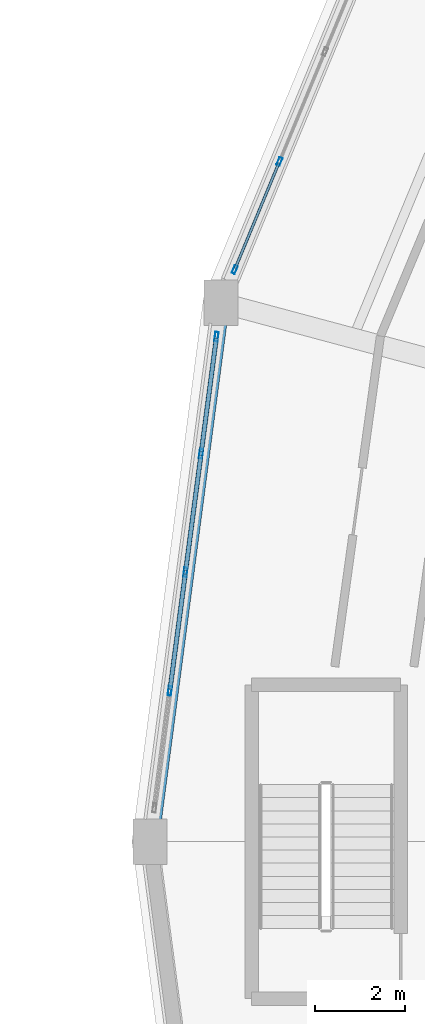
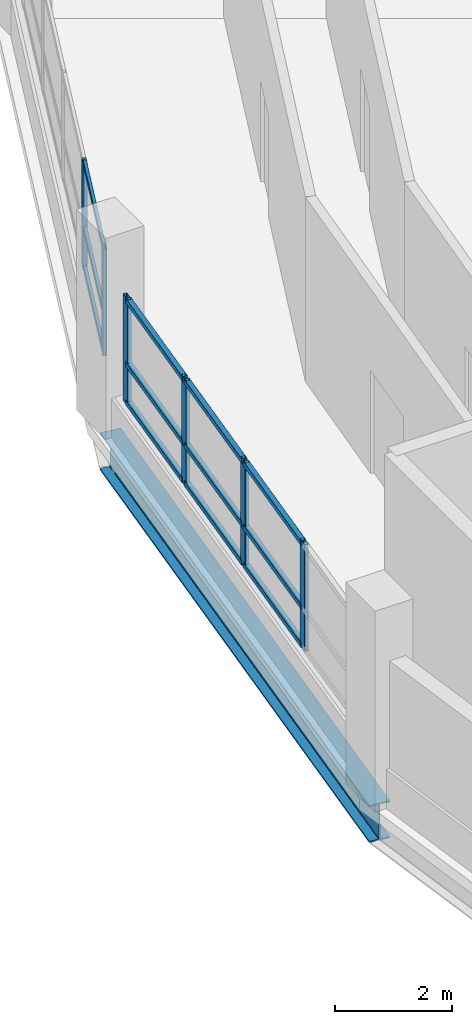
# One storey, part 45 of 128: 18 members, 1 beam, 2 elements without a shape of their own.
"""IFC4 building model written with IfcOpenShell, lengths in metres."""

from ifc_helpers import new_model, si_unit, direction, frame, origin, origin_2d, place, context, subcontext, project, spatial, hollow_rectangle, i_section, extrude, material, layer, layer_set, material_profile, profile_set, type_object, element, aggregate, save


model = new_model("IFC4")

# Units and contexts
model_context = context("Model", 3, precision=1e-05, world=origin(), true_north=direction((0.0, 1.0)))
body_context = subcontext(model_context, "Body", "Model", "MODEL_VIEW")
ifc_project = project(units=[si_unit("LENGTHUNIT", "METRE"), si_unit("AREAUNIT", "SQUARE_METRE"), si_unit("VOLUMEUNIT", "CUBIC_METRE"), si_unit("PLANEANGLEUNIT", "RADIAN"), si_unit("MASSUNIT", "GRAM", prefix="KILO")], contexts=[model_context])

# Site, building, storey
site_placement = place(None, origin())
site = spatial("IfcSite", under=ifc_project, at=site_placement, CompositionType="ELEMENT")
building_placement = place(site_placement, origin())
building = spatial("IfcBuilding", under=site, at=building_placement, Name="Vespera Passage Community Centre", CompositionType="ELEMENT")
storey_placement = place(building_placement, frame((0.0, 0.0, 4.5)))
storey = spatial("IfcBuildingStorey", under=building, at=storey_placement, Name="L01", CompositionType="ELEMENT", Elevation=4.5)

# Beam
ifc_material_1 = material(Name="Steel ASTM A992 Grade 50", Category="steel")
ifc_material_profile_1 = material_profile(ifc_material_1, i_section(OverallWidth=0.382080078125, OverallDepth=0.779296875, WebThickness=0.01806640625, FlangeThickness=0.030029296875, FilletRadius=0.0166015625, at=origin_2d()), Name="W30X191")
ifc_profile_set_1 = profile_set([ifc_material_profile_1], Name="Steel ASTM A992 Grade 50")
beam_type = type_object("IfcBeamType", Name="BM-SP-W30X191E", PredefinedType="SPANDREL", material=ifc_profile_set_1)
beam_placement = place(storey_placement, frame((33.470703125, 77.431640625, -0.629638671875), z_axis=(-0.130523782115, -0.991445178667, 0.0), x_axis=(0.991445178667, -0.130523782115, 0.0)))
element("IfcBeam", 1, at=beam_placement, inside=storey, type_object=beam_type, Name="V4 L01 Outer Spandrel 11", PredefinedType="SPANDREL", context=body_context, shape_type="SweptSolid", body=[
    extrude(i_section(OverallWidth=0.382080078125, OverallDepth=0.779296875, WebThickness=0.01806640625, FlangeThickness=0.030029296875, FilletRadius=0.0166015625, at=origin_2d()), origin(), (0.0, 0.0, 1.0), 12.03466796875),
])

# Curtain wall, members
ifc_material_2 = material(Name="Anodized aluminium 6063-T6", Category="aluminium")
ifc_layer_1 = layer(ifc_material_2, 0.159912109375)
ifc_layer_set_1 = layer_set([ifc_layer_1], Name="Anodized aluminium 6063-T6")
curtain_wall_type_1 = type_object("IfcCurtainWallType", Name="CW-20E", PredefinedType="NOTDEFINED", material=ifc_layer_set_1)
curtain_wall_1_placement = place(storey_placement, origin())
curtain_wall_1 = element("IfcCurtainWall", 2, at=curtain_wall_1_placement, inside=storey, type_object=curtain_wall_type_1, Name="V4 L01 Outer Ribbon Curtain Wall 10", PredefinedType="NOTDEFINED")
ifc_material_3 = material(Name="Anodized aluminium 6063-T6", Category="aluminium")
ifc_material_profile_2 = material_profile(ifc_material_3, hollow_rectangle(XDim=0.074951171875, YDim=0.179931640625, WallThickness=0.0048828125, InnerFilletRadius=0.00244140625, OuterFilletRadius=0.0048828125, at=origin_2d()), Name="ALU180X75X5")
ifc_profile_set_2 = profile_set([ifc_material_profile_2], Name="Anodized aluminium 6063-T6")
member_type_1 = type_object("IfcMemberType", Name="MB-CWM-180E", PredefinedType="MULLION", material=ifc_profile_set_2)
member_1_placement = place(storey_placement, frame((33.774658203125, 78.164794921875, 0.820068359375), z_axis=(0.0, 0.0, 1.0), x_axis=(-0.923881309405, 0.382679142535, 0.0)))
member_1 = element("IfcMember", 3, at=member_1_placement, type_object=member_type_1, Name="CW-20E mullion 1", PredefinedType="MULLION", context=body_context, shape_type="SweptSolid", body=[
    extrude(hollow_rectangle(XDim=0.074951171875, YDim=0.179931640625, WallThickness=0.0048828125, InnerFilletRadius=0.00244140625, OuterFilletRadius=0.0048828125, at=origin_2d()), origin(), (0.0, 0.0, 1.0), 2.2255859375),
])
member_2_placement = place(storey_placement, frame((34.766845703125, 80.560546875, 0.820068359375), z_axis=(0.0, 0.0, 1.0), x_axis=(-0.923881309405, 0.382679142535, 0.0)))
member_2 = element("IfcMember", 4, at=member_2_placement, type_object=member_type_1, Name="CW-20E mullion 2", PredefinedType="MULLION", context=body_context, shape_type="SweptSolid", body=[
    extrude(hollow_rectangle(XDim=0.074951171875, YDim=0.179931640625, WallThickness=0.0048828125, InnerFilletRadius=0.00244140625, OuterFilletRadius=0.0048828125, at=origin_2d()), origin(), (0.0, 0.0, 1.0), 2.2255859375),
])

ifc_material_4 = material(Name="Anodized aluminium 6063-T6", Category="aluminium")
ifc_layer_2 = layer(ifc_material_4, 0.159912109375)
ifc_layer_set_2 = layer_set([ifc_layer_2], Name="Anodized aluminium 6063-T6")
curtain_wall_type_2 = type_object("IfcCurtainWallType", Name="CW-21E", PredefinedType="NOTDEFINED", material=ifc_layer_set_2)
curtain_wall_2_placement = place(storey_placement, origin())
curtain_wall_2 = element("IfcCurtainWall", 5, at=curtain_wall_2_placement, inside=storey, type_object=curtain_wall_type_2, Name="V4 L01 Outer Ribbon Curtain Wall 11", PredefinedType="NOTDEFINED")
ifc_material_5 = material(Name="Anodized aluminium 6063-T6", Category="aluminium")
ifc_material_profile_3 = material_profile(ifc_material_5, hollow_rectangle(XDim=0.074951171875, YDim=0.2099609375, WallThickness=0.0048828125, InnerFilletRadius=0.00244140625, OuterFilletRadius=0.0048828125, at=origin_2d()), Name="ALU210X75X5")
ifc_profile_set_3 = profile_set([ifc_material_profile_3], Name="Anodized aluminium 6063-T6")
member_type_2 = type_object("IfcMemberType", Name="MB-CWM-210E", PredefinedType="MULLION", material=ifc_profile_set_3)
member_3_placement = place(storey_placement, frame((32.339599609375, 68.839599609375, 0.820068359375), z_axis=(0.0, 0.0, 1.0), x_axis=(-0.991445298818, 0.130522869458, 0.0)))
member_3 = element("IfcMember", 6, at=member_3_placement, type_object=member_type_2, Name="CW-21E mullion 2", PredefinedType="MULLION", context=body_context, shape_type="SweptSolid", body=[
    extrude(hollow_rectangle(XDim=0.074951171875, YDim=0.2099609375, WallThickness=0.0048828125, InnerFilletRadius=0.00244140625, OuterFilletRadius=0.0048828125, at=origin_2d()), origin(), (0.0, 0.0, 1.0), 2.2255859375),
])
member_4_placement = place(storey_placement, frame((32.685302734375, 71.4658203125, 0.820068359375), z_axis=(0.0, 0.0, 1.0), x_axis=(-0.991445298818, 0.130522869458, 0.0)))
member_4 = element("IfcMember", 7, at=member_4_placement, type_object=member_type_2, Name="CW-21E mullion 3", PredefinedType="MULLION", context=body_context, shape_type="SweptSolid", body=[
    extrude(hollow_rectangle(XDim=0.074951171875, YDim=0.2099609375, WallThickness=0.0048828125, InnerFilletRadius=0.00244140625, OuterFilletRadius=0.0048828125, at=origin_2d()), origin(), (0.0, 0.0, 1.0), 2.2255859375),
])
member_5_placement = place(storey_placement, frame((33.03125, 74.092041015625, 0.820068359375), z_axis=(0.0, 0.0, 1.0), x_axis=(-0.991445298818, 0.130522869458, 0.0)))
member_5 = element("IfcMember", 8, at=member_5_placement, type_object=member_type_2, Name="CW-21E mullion 4", PredefinedType="MULLION", context=body_context, shape_type="SweptSolid", body=[
    extrude(hollow_rectangle(XDim=0.074951171875, YDim=0.2099609375, WallThickness=0.0048828125, InnerFilletRadius=0.00244140625, OuterFilletRadius=0.0048828125, at=origin_2d()), origin(), (0.0, 0.0, 1.0), 2.2255859375),
])
member_6_placement = place(storey_placement, frame((33.3720703125, 76.68115234375, 0.820068359375), z_axis=(0.0, 0.0, 1.0), x_axis=(-0.991445298818, 0.130522869458, 0.0)))
member_6 = element("IfcMember", 9, at=member_6_placement, type_object=member_type_2, Name="CW-21E mullion 5", PredefinedType="MULLION", context=body_context, shape_type="SweptSolid", body=[
    extrude(hollow_rectangle(XDim=0.074951171875, YDim=0.2099609375, WallThickness=0.0048828125, InnerFilletRadius=0.00244140625, OuterFilletRadius=0.0048828125, at=origin_2d()), origin(), (0.0, 0.0, 1.0), 2.2255859375),
])
ifc_material_6 = material(Name="Anodized aluminium 6063-T6", Category="aluminium")
ifc_material_profile_4 = material_profile(ifc_material_6, hollow_rectangle(XDim=0.10009765625, YDim=0.10009765625, WallThickness=0.00390625, InnerFilletRadius=0.001953125, OuterFilletRadius=0.00390625, at=origin_2d()), Name="ALU100X100X4")
ifc_profile_set_4 = profile_set([ifc_material_profile_4], Name="Anodized aluminium 6063-T6")
member_type_3 = type_object("IfcMemberType", Name="MB-CWT-100E", PredefinedType="USERDEFINED", material=ifc_profile_set_4)
member_7_placement = place(storey_placement, frame((32.344482421875, 68.876708984375, 0.8701171875), z_axis=(0.13051094341, 0.991446868798, 0.0), x_axis=(-0.991446868798, 0.13051094341, 0.0)))
member_7 = element("IfcMember", 10, at=member_7_placement, type_object=member_type_3, Name="CW-21E transom 2.1", ObjectType="TRANSOM", PredefinedType="USERDEFINED", context=body_context, shape_type="SweptSolid", body=[
    extrude(hollow_rectangle(XDim=0.10009765625, YDim=0.10009765625, WallThickness=0.00390625, InnerFilletRadius=0.001953125, OuterFilletRadius=0.00390625, at=origin_2d()), origin(), (0.0, 0.0, 1.0), 2.573974609375),
])
member_8_placement = place(storey_placement, frame((32.344482421875, 68.876708984375, 1.669921875), z_axis=(0.13051094341, 0.991446868798, 0.0), x_axis=(-0.991446868798, 0.13051094341, 0.0)))
member_8 = element("IfcMember", 11, at=member_8_placement, type_object=member_type_3, Name="CW-21E transom 2.2", ObjectType="TRANSOM", PredefinedType="USERDEFINED", context=body_context, shape_type="SweptSolid", body=[
    extrude(hollow_rectangle(XDim=0.10009765625, YDim=0.10009765625, WallThickness=0.00390625, InnerFilletRadius=0.001953125, OuterFilletRadius=0.00390625, at=origin_2d()), origin(), (0.0, 0.0, 1.0), 2.573974609375),
])
member_9_placement = place(storey_placement, frame((32.344482421875, 68.876708984375, 2.99560546875), z_axis=(0.13051094341, 0.991446868798, 0.0), x_axis=(-0.991446868798, 0.13051094341, 0.0)))
member_9 = element("IfcMember", 12, at=member_9_placement, type_object=member_type_3, Name="CW-21E transom 2.3", ObjectType="TRANSOM", PredefinedType="USERDEFINED", context=body_context, shape_type="SweptSolid", body=[
    extrude(hollow_rectangle(XDim=0.10009765625, YDim=0.10009765625, WallThickness=0.00390625, InnerFilletRadius=0.001953125, OuterFilletRadius=0.00390625, at=origin_2d()), origin(), (0.0, 0.0, 1.0), 2.573974609375),
])
member_10_placement = place(storey_placement, frame((32.690185546875, 71.5029296875, 0.8701171875), z_axis=(0.130604174191, 0.991434591733, 0.0), x_axis=(-0.991434591733, 0.130604174191, 0.0)))
member_10 = element("IfcMember", 13, at=member_10_placement, type_object=member_type_3, Name="CW-21E transom 3.1", ObjectType="TRANSOM", PredefinedType="USERDEFINED", context=body_context, shape_type="SweptSolid", body=[
    extrude(hollow_rectangle(XDim=0.10009765625, YDim=0.10009765625, WallThickness=0.00390625, InnerFilletRadius=0.001953125, OuterFilletRadius=0.00390625, at=origin_2d()), origin(), (0.0, 0.0, 1.0), 2.573974609375),
])
member_11_placement = place(storey_placement, frame((32.690185546875, 71.5029296875, 1.669921875), z_axis=(0.130604174191, 0.991434591733, 0.0), x_axis=(-0.991434591733, 0.130604174191, 0.0)))
member_11 = element("IfcMember", 14, at=member_11_placement, type_object=member_type_3, Name="CW-21E transom 3.2", ObjectType="TRANSOM", PredefinedType="USERDEFINED", context=body_context, shape_type="SweptSolid", body=[
    extrude(hollow_rectangle(XDim=0.10009765625, YDim=0.10009765625, WallThickness=0.00390625, InnerFilletRadius=0.001953125, OuterFilletRadius=0.00390625, at=origin_2d()), origin(), (0.0, 0.0, 1.0), 2.573974609375),
])
member_12_placement = place(storey_placement, frame((32.690185546875, 71.5029296875, 2.99560546875), z_axis=(0.130604174191, 0.991434591733, 0.0), x_axis=(-0.991434591733, 0.130604174191, 0.0)))
member_12 = element("IfcMember", 15, at=member_12_placement, type_object=member_type_3, Name="CW-21E transom 3.3", ObjectType="TRANSOM", PredefinedType="USERDEFINED", context=body_context, shape_type="SweptSolid", body=[
    extrude(hollow_rectangle(XDim=0.10009765625, YDim=0.10009765625, WallThickness=0.00390625, InnerFilletRadius=0.001953125, OuterFilletRadius=0.00390625, at=origin_2d()), origin(), (0.0, 0.0, 1.0), 2.573974609375),
])
member_13_placement = place(storey_placement, frame((33.0361328125, 74.12939453125, 0.8701171875), z_axis=(0.130524231271, 0.991445119536, 0.0), x_axis=(-0.991445119536, 0.130524231271, 0.0)))
member_13 = element("IfcMember", 16, at=member_13_placement, type_object=member_type_3, Name="CW-21E transom 4.1", ObjectType="TRANSOM", PredefinedType="USERDEFINED", context=body_context, shape_type="SweptSolid", body=[
    extrude(hollow_rectangle(XDim=0.10009765625, YDim=0.10009765625, WallThickness=0.00390625, InnerFilletRadius=0.001953125, OuterFilletRadius=0.00390625, at=origin_2d()), origin(), (0.0, 0.0, 1.0), 2.536376953125),
])
member_14_placement = place(storey_placement, frame((33.0361328125, 74.12939453125, 1.669921875), z_axis=(0.130524231271, 0.991445119536, 0.0), x_axis=(-0.991445119536, 0.130524231271, 0.0)))
member_14 = element("IfcMember", 17, at=member_14_placement, type_object=member_type_3, Name="CW-21E transom 4.2", ObjectType="TRANSOM", PredefinedType="USERDEFINED", context=body_context, shape_type="SweptSolid", body=[
    extrude(hollow_rectangle(XDim=0.10009765625, YDim=0.10009765625, WallThickness=0.00390625, InnerFilletRadius=0.001953125, OuterFilletRadius=0.00390625, at=origin_2d()), origin(), (0.0, 0.0, 1.0), 2.536376953125),
])
member_15_placement = place(storey_placement, frame((33.0361328125, 74.12939453125, 2.99560546875), z_axis=(0.130524231271, 0.991445119536, 0.0), x_axis=(-0.991445119536, 0.130524231271, 0.0)))
member_15 = element("IfcMember", 18, at=member_15_placement, type_object=member_type_3, Name="CW-21E transom 4.3", ObjectType="TRANSOM", PredefinedType="USERDEFINED", context=body_context, shape_type="SweptSolid", body=[
    extrude(hollow_rectangle(XDim=0.10009765625, YDim=0.10009765625, WallThickness=0.00390625, InnerFilletRadius=0.001953125, OuterFilletRadius=0.00390625, at=origin_2d()), origin(), (0.0, 0.0, 1.0), 2.536376953125),
])
aggregate(curtain_wall_2, [member_3, member_4, member_5, member_6, member_7, member_8, member_9, member_10, member_11, member_12, member_13, member_14, member_15])

# Member
ifc_material_7 = material(Name="Anodized aluminium 6063-T6", Category="aluminium")
ifc_material_profile_5 = material_profile(ifc_material_7, hollow_rectangle(XDim=0.06005859375, YDim=0.1201171875, WallThickness=0.00390625, InnerFilletRadius=0.001953125, OuterFilletRadius=0.00390625, at=origin_2d()), Name="ALU120X60X4")
ifc_profile_set_5 = profile_set([ifc_material_profile_5], Name="Anodized aluminium 6063-T6")
member_type_4 = type_object("IfcMemberType", Name="MB-CWT-120E", PredefinedType="USERDEFINED", material=ifc_profile_set_5)
member_16_placement = place(storey_placement, frame((33.788818359375, 78.199462890625, 0.85009765625), z_axis=(0.3826800364, 0.923880939159, 0.0), x_axis=(-0.923880939159, 0.3826800364, 0.0)))
member_16 = element("IfcMember", 19, at=member_16_placement, type_object=member_type_4, Name="CW-20E transom 1.1", ObjectType="TRANSOM", PredefinedType="USERDEFINED", context=body_context, shape_type="SweptSolid", body=[
    extrude(hollow_rectangle(XDim=0.06005859375, YDim=0.1201171875, WallThickness=0.00390625, InnerFilletRadius=0.001953125, OuterFilletRadius=0.00390625, at=origin_2d()), origin(), (0.0, 0.0, 1.0), 2.51806640625),
])

member_17_placement = place(storey_placement, frame((33.788818359375, 78.199462890625, 1.669921875), z_axis=(0.3826800364, 0.923880939159, 0.0), x_axis=(-0.923880939159, 0.3826800364, 0.0)))
member_17 = element("IfcMember", 20, at=member_17_placement, type_object=member_type_4, Name="CW-20E transom 1.2", ObjectType="TRANSOM", PredefinedType="USERDEFINED", context=body_context, shape_type="SweptSolid", body=[
    extrude(hollow_rectangle(XDim=0.06005859375, YDim=0.1201171875, WallThickness=0.00390625, InnerFilletRadius=0.001953125, OuterFilletRadius=0.00390625, at=origin_2d()), origin(), (0.0, 0.0, 1.0), 2.51806640625),
])

member_18_placement = place(storey_placement, frame((33.788818359375, 78.199462890625, 3.015625), z_axis=(0.3826800364, 0.923880939159, 0.0), x_axis=(-0.923880939159, 0.3826800364, 0.0)))
member_18 = element("IfcMember", 21, at=member_18_placement, type_object=member_type_4, Name="CW-20E transom 1.3", ObjectType="TRANSOM", PredefinedType="USERDEFINED", context=body_context, shape_type="SweptSolid", body=[
    extrude(hollow_rectangle(XDim=0.06005859375, YDim=0.1201171875, WallThickness=0.00390625, InnerFilletRadius=0.001953125, OuterFilletRadius=0.00390625, at=origin_2d()), origin(), (0.0, 0.0, 1.0), 2.51806640625),
])

aggregate(curtain_wall_1, [member_1, member_2, member_16, member_17, member_18])

save(model, "model.ifc")
